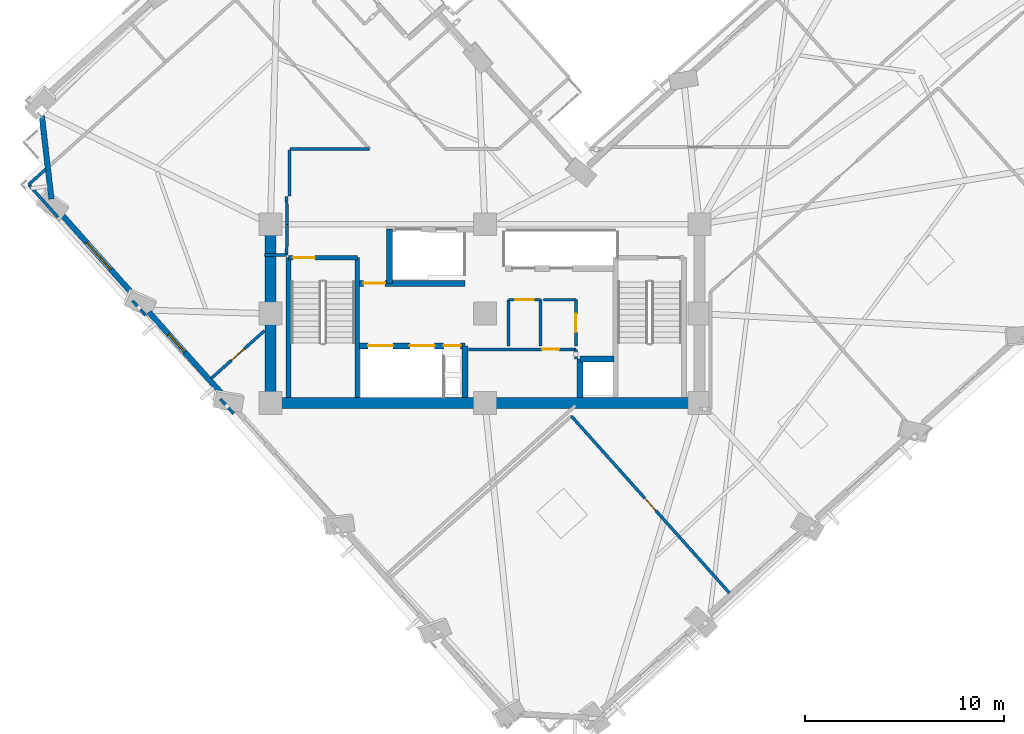
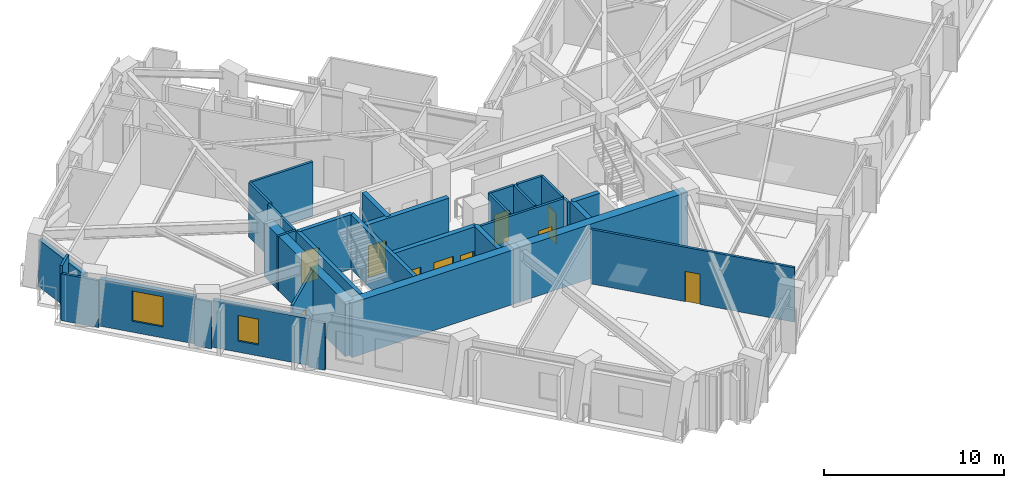
# One storey, part 6 of 14: 33 walls, 10 doors, 2 windows, 12 openings.
"""IFC4 building model written with IfcOpenShell, lengths in metres."""

from ifc_helpers import new_model, si_unit, direction, frame, frame_2d, origin, place, context, subcontext, project, spatial, rectangle, extrude, material, layer, layer_set, type_object, element, fill, save


model = new_model("IFC4")

# Units and contexts
model_context = context("Model", 3, precision=1e-05, world=origin(), true_north=direction((0.0, 1.0)))
body_context = subcontext(model_context, "Body", "Model", "MODEL_VIEW")
ifc_project = project(units=[si_unit("LENGTHUNIT", "METRE"), si_unit("AREAUNIT", "SQUARE_METRE"), si_unit("VOLUMEUNIT", "CUBIC_METRE"), si_unit("PLANEANGLEUNIT", "RADIAN"), si_unit("MASSUNIT", "GRAM", prefix="KILO")], contexts=[model_context])

# Site, building, storey
site_placement = place(None, origin())
site = spatial("IfcSite", under=ifc_project, at=site_placement, CompositionType="ELEMENT")
building_placement = place(site_placement, origin())
building = spatial("IfcBuilding", under=site, at=building_placement, Name="Gaonmaruhae Medical Tower", CompositionType="ELEMENT")
storey_placement = place(building_placement, frame((0.0, 0.0, 201.800048828125)))
storey = spatial("IfcBuildingStorey", under=building, at=storey_placement, Name="L48", CompositionType="ELEMENT", Elevation=201.800048828125)

# Walls
ifc_material_1 = material(Name="Concrete C50/60", Category="concrete")
ifc_layer_1 = layer(ifc_material_1, 0.550048828125)
ifc_layer_set_1 = layer_set([ifc_layer_1], Name="Concrete C50/60")
wall_type_1 = type_object("IfcWallType", Name="CW-550 Mid-High Core Shear Wall", PredefinedType="SHEAR", material=ifc_layer_set_1)
for number, where, z_axis, x_axis, name in (
    (1, (14.0, 7.800048828125, 0.0), (0.0, 0.0, 1.0), (1.0, 0.0, 0.0), "L48 Core Shear Wall CSW-S1"),
    (2, (24.800048828125, 7.800048828125, 0.0), (0.0, 0.0, 1.0), (1.0, 0.0, 0.0), "L48 Core Shear Wall CSW-S2"),
):
    element("IfcWall", number, at=place(storey_placement, frame(where, z_axis=z_axis, x_axis=x_axis)), inside=storey, type_object=wall_type_1, Name=name, PredefinedType="SHEAR", context=body_context, shape_type="SweptSolid", body=[
        extrude(rectangle(XDim=10.800048828125, YDim=0.550048828125, at=frame_2d((5.39990234375, 0.0))), origin(), (0.0, 0.0, 1.0), 3.699951171875),
    ])
wall_1_placement = place(storey_placement, frame((14.0, 16.800048828125, 0.0), z_axis=(0.0, 0.0, 1.0), x_axis=(0.0, -1.0, 0.0)))
element("IfcWall", 3, at=wall_1_placement, inside=storey, type_object=wall_type_1, Name="L48 Core Shear Wall CSW-W1", PredefinedType="SHEAR", context=body_context, shape_type="SweptSolid", body=[
    extrude(rectangle(XDim=9.0, YDim=0.550048828125, at=frame_2d((4.5, 0.0))), origin(), (0.0, 0.0, 1.0), 3.699951171875),
])
ifc_material_2 = material(Name="Precast concrete C45/55", Category="concrete")
ifc_layer_2 = layer(ifc_material_2, 0.280029296875)
ifc_layer_set_2 = layer_set([ifc_layer_2], Name="Precast concrete C45/55")
wall_type_2 = type_object("IfcWallType", Name="EW-280 Upper Precast Masonry-Frame Facade Wall", PredefinedType="SOLIDWALL", material=ifc_layer_set_2)
wall_2_placement = place(storey_placement, frame((2.978271484375, 18.0703125, 0.0), z_axis=(0.0, 0.0, 1.0), x_axis=(-0.11463731343, 0.993407412077, 0.0)))
element("IfcWall", 4, at=wall_2_placement, inside=storey, type_object=wall_type_2, Name="L48 Precast Masonry-Frame Wall N03-W01", PredefinedType="SOLIDWALL", context=body_context, shape_type="SweptSolid", body=[
    extrude(rectangle(XDim=4.21044921875, YDim=0.280029296875, at=frame_2d((2.105224609375, 0.0))), origin(), (0.0, 0.0, 1.0), 3.18505859375),
])

# Wall, opening, window
wall_3_placement = place(storey_placement, frame((7.22900390625, 13.111083984375, 0.0), z_axis=(0.0, 0.0, 1.0), x_axis=(-0.666525979178, 0.745481803319, 0.0)))
wall_3 = element("IfcWall", 5, at=wall_3_placement, inside=storey, type_object=wall_type_2, Name="L48 Precast Masonry-Frame Wall W01-W02", PredefinedType="SOLIDWALL", context=body_context, shape_type="SweptSolid", body=[
    extrude(rectangle(XDim=5.627685546875, YDim=0.280029296875, at=frame_2d((2.81396484375, 0.0))), origin(), (0.0, 0.0, 1.0), 3.18505859375),
])
opening_1_placement = place(wall_3_placement, frame((1.9111328125, 0.0, 0.75)))
opening_1 = element("IfcOpeningElement", 6, at=opening_1_placement, cuts=wall_3, Name="Opening WN-04", PredefinedType="OPENING", context=body_context, shape_type="SweptSolid", body=[
    extrude(rectangle(XDim=1.800048828125, YDim=2.050048828125, at=frame_2d((0.89990234375, 1.02490234375))), frame((0.0, 0.14990234375, 0.0), z_axis=(0.0, -1.0, 0.0), x_axis=(1.0, 0.0, 0.0)), (0.0, 0.0, 1.0), 0.300048828125),
])
ifc_material_3 = material(Name="Anodised aluminium and Low-E double glazing", Category="aluminium")
window_type_1 = type_object("IfcWindowType", Name="WN-04 Clinic & Consult Punched Window 1800x2050", PartitioningType="SINGLE_PANEL", PredefinedType="WINDOW", material=ifc_material_3)
window_1_placement = place(opening_1_placement, origin())
window_1 = element("IfcWindow", 7, at=window_1_placement, inside=storey, type_object=window_type_1, Name="L48 Modular Facade Window W01", OverallHeight=2.050048828125, OverallWidth=1.800048828125, PartitioningType="SINGLE_PANEL", PredefinedType="WINDOW", context=body_context, shape_type="SweptSolid", body=[
    extrude(rectangle(XDim=1.800048828125, YDim=2.050048828125, at=frame_2d((0.89990234375, 1.02490234375))), frame((0.0, 0.030029296875, 0.0), z_axis=(0.0, -1.0, 0.0), x_axis=(1.0, 0.0, 0.0)), (0.0, 0.0, 1.0), 0.06005859375),
])
fill(opening_1, window_1)

wall_4_placement = place(storey_placement, frame((11.658203125, 8.157470703125, 0.0), z_axis=(0.0, 0.0, 1.0), x_axis=(-0.666552835857, 0.745457790228, 0.0)))
wall_4 = element("IfcWall", 8, at=wall_4_placement, inside=storey, type_object=wall_type_2, Name="L48 Precast Masonry-Frame Wall W02-W03", PredefinedType="SOLIDWALL", context=body_context, shape_type="SweptSolid", body=[
    extrude(rectangle(XDim=5.662109375, YDim=0.280029296875, at=frame_2d((2.8310546875, 0.0))), origin(), (0.0, 0.0, 1.0), 3.18505859375),
])
opening_2_placement = place(wall_4_placement, frame((2.955810546875, 0.0, 0.75)))
opening_2 = element("IfcOpeningElement", 9, at=opening_2_placement, cuts=wall_4, Name="Opening WN-05", PredefinedType="OPENING", context=body_context, shape_type="SweptSolid", body=[
    extrude(rectangle(XDim=1.199951171875, YDim=1.75, at=frame_2d((0.60009765625, 0.875))), frame((0.0, 0.14990234375, 0.0), z_axis=(0.0, -1.0, 0.0), x_axis=(1.0, 0.0, 0.0)), (0.0, 0.0, 1.0), 0.300048828125),
])
window_type_2 = type_object("IfcWindowType", Name="WN-05 Support & Staff Punched Window 1200x1750", PartitioningType="SINGLE_PANEL", PredefinedType="WINDOW", material=ifc_material_3)
window_2_placement = place(opening_2_placement, origin())
window_2 = element("IfcWindow", 10, at=window_2_placement, inside=storey, type_object=window_type_2, Name="L48 Modular Facade Window W02", OverallHeight=1.75, OverallWidth=1.199951171875, PartitioningType="SINGLE_PANEL", PredefinedType="WINDOW", context=body_context, shape_type="SweptSolid", body=[
    extrude(rectangle(XDim=1.199951171875, YDim=1.75, at=frame_2d((0.60009765625, 0.875))), frame((0.0, 0.030029296875, 0.0), z_axis=(0.0, -1.0, 0.0), x_axis=(1.0, 0.0, 0.0)), (0.0, 0.0, 1.0), 0.06005859375),
])
fill(opening_2, window_2)

# Wall, opening, door
ifc_material_4 = material(Name="Gypsum board partition", Category="gypsum")
ifc_layer_3 = layer(ifc_material_4, 0.14990234375)
ifc_layer_set_3 = layer_set([ifc_layer_3], Name="Gypsum board partition")
wall_type_3 = type_object("IfcWallType", Name="PW-150 Rated Clinical Corridor Partition", PredefinedType="PARTITIONING", material=ifc_layer_set_3)
wall_5_placement = place(storey_placement, frame((23.97998046875, 10.5, 0.0), z_axis=(0.0, 0.0, 1.0), x_axis=(1.0, 0.0, 0.0)))
wall_5 = element("IfcWall", 11, at=wall_5_placement, inside=storey, type_object=wall_type_3, Name="L48 Interior Partition L48-RCL1-1", PredefinedType="PARTITIONING", context=body_context, shape_type="SweptSolid", body=[
    extrude(rectangle(XDim=5.39990234375, YDim=0.14990234375, at=frame_2d((2.699951171875, 0.0))), origin(), (0.0, 0.0, 1.0), 3.699951171875),
])
opening_3_placement = place(wall_5_placement, frame((3.702880859375, 0.0, 0.0)))
opening_3 = element("IfcOpeningElement", 12, at=opening_3_placement, cuts=wall_5, Name="Opening AD-01", PredefinedType="OPENING", context=body_context, shape_type="SweptSolid", body=[
    extrude(rectangle(XDim=0.860107421875, YDim=2.06005859375, at=frame_2d((0.43017578125, 1.030029296875))), frame((0.0, 0.0849609375, 0.0), z_axis=(0.0, -1.0, 0.0), x_axis=(1.0, 0.0, 0.0)), (0.0, 0.0, 1.0), 0.169921875),
])
ifc_material_5 = material(Name="Powder-coated steel access door", Category="steel")
door_type_1 = type_object("IfcDoorType", Name="AD-01 Riser & Closet Access Fire Door 860x2060", OperationType="NOTDEFINED", PredefinedType="DOOR", material=ifc_material_5)
door_1_placement = place(opening_3_placement, origin())
door_1 = element("IfcDoor", 13, at=door_1_placement, inside=storey, type_object=door_type_1, Name="L48 Biomedical Infusion Preparation Room Sliding Door", OperationType="SLIDING_TO_LEFT", OverallHeight=2.06005859375, OverallWidth=0.860107421875, PredefinedType="DOOR", context=body_context, shape_type="SweptSolid", body=[
    extrude(rectangle(XDim=0.860107421875, YDim=2.06005859375, at=frame_2d((0.43017578125, 1.030029296875))), frame((0.0, 0.02490234375, 0.0), z_axis=(0.0, -1.0, 0.0), x_axis=(1.0, 0.0, 0.0)), (0.0, 0.0, 1.0), 0.050048828125),
])
fill(opening_3, door_1)

# Walls
wall_6_placement = place(storey_placement, frame((29.3798828125, 10.5, 0.0), z_axis=(0.0, 0.0, 1.0), x_axis=(0.0, -1.0, 0.0)))
element("IfcWall", 14, at=wall_6_placement, inside=storey, type_object=wall_type_3, Name="L48 Interior Partition L48-RCL1-2", PredefinedType="PARTITIONING", context=body_context, shape_type="SweptSolid", body=[
    extrude(rectangle(XDim=0.47998046875, YDim=0.14990234375, at=frame_2d((0.239990234375, 0.0))), origin(), (0.0, 0.0, 1.0), 3.699951171875),
])
wall_7_placement = place(storey_placement, frame((25.97998046875, 10.659912109375, 0.0), z_axis=(0.0, 0.0, 1.0), x_axis=(0.0, 1.0, 0.0)))
element("IfcWall", 15, at=wall_7_placement, inside=storey, type_object=wall_type_3, Name="L48 Interior Partition L48-CS1-3", PredefinedType="PARTITIONING", context=body_context, shape_type="SweptSolid", body=[
    extrude(rectangle(XDim=2.340087890625, YDim=0.14990234375, at=frame_2d((1.169921875, 0.0))), origin(), (0.0, 0.0, 1.0), 3.699951171875),
])

# Wall, opening, door
wall_8_placement = place(storey_placement, frame((25.97998046875, 13.0, 0.0), z_axis=(0.0, 0.0, 1.0), x_axis=(1.0, 0.0, 0.0)))
wall_8 = element("IfcWall", 16, at=wall_8_placement, inside=storey, type_object=wall_type_3, Name="L48 Interior Partition L48-CS1-4", PredefinedType="PARTITIONING", context=body_context, shape_type="SweptSolid", body=[
    extrude(rectangle(XDim=1.6201171875, YDim=0.14990234375, at=frame_2d((0.81005859375, 0.0))), origin(), (0.0, 0.0, 1.0), 3.699951171875),
])
opening_4_placement = place(wall_8_placement, frame((0.35009765625, 0.0, 0.0)))
opening_4 = element("IfcOpeningElement", 17, at=opening_4_placement, cuts=wall_8, Name="Opening UD-01", PredefinedType="OPENING", context=body_context, shape_type="SweptSolid", body=[
    extrude(rectangle(XDim=0.919921875, YDim=2.10009765625, at=frame_2d((0.4599609375, 1.050048828125))), frame((0.0, 0.0849609375, 0.0), z_axis=(0.0, -1.0, 0.0), x_axis=(1.0, 0.0, 0.0)), (0.0, 0.0, 1.0), 0.169921875),
])
ifc_material_6 = material(Name="Powder-coated steel utility door", Category="steel")
door_type_2 = type_object("IfcDoorType", Name="UD-01 Toilet, Utility & Housekeeping Door 920x2100", OperationType="NOTDEFINED", PredefinedType="DOOR", material=ifc_material_6)
door_2_placement = place(opening_4_placement, origin())
door_2 = element("IfcDoor", 18, at=door_2_placement, inside=storey, type_object=door_type_2, Name="L48 Accessible Staff Toilet Door", OperationType="SINGLE_SWING_RIGHT", OverallHeight=2.10009765625, OverallWidth=0.919921875, PredefinedType="DOOR", context=body_context, shape_type="SweptSolid", body=[
    extrude(rectangle(XDim=0.919921875, YDim=2.10009765625, at=frame_2d((0.4599609375, 1.050048828125))), frame((0.0, 0.02490234375, 0.0), z_axis=(0.0, -1.0, 0.0), x_axis=(1.0, 0.0, 0.0)), (0.0, 0.0, 1.0), 0.050048828125),
])
fill(opening_4, door_2)

# Walls
wall_9_placement = place(storey_placement, frame((27.60009765625, 13.0, 0.0), z_axis=(0.0, 0.0, 1.0), x_axis=(0.0, -1.0, 0.0)))
element("IfcWall", 19, at=wall_9_placement, inside=storey, type_object=wall_type_3, Name="L48 Interior Partition L48-CS1-5", PredefinedType="PARTITIONING", context=body_context, shape_type="SweptSolid", body=[
    extrude(rectangle(XDim=2.340087890625, YDim=0.14990234375, at=frame_2d((1.169921875, 0.0))), origin(), (0.0, 0.0, 1.0), 3.699951171875),
])
wall_10_placement = place(storey_placement, frame((27.760009765625, 13.0, 0.0), z_axis=(0.0, 0.0, 1.0), x_axis=(1.0, 0.0, 0.0)))
element("IfcWall", 20, at=wall_10_placement, inside=storey, type_object=wall_type_3, Name="L48 Interior Partition L48-CS2-6", PredefinedType="PARTITIONING", context=body_context, shape_type="SweptSolid", body=[
    extrude(rectangle(XDim=1.619873046875, YDim=0.14990234375, at=frame_2d((0.81005859375, 0.0))), origin(), (0.0, 0.0, 1.0), 3.699951171875),
])

# Wall, opening, door
wall_11_placement = place(storey_placement, frame((29.3798828125, 13.0, 0.0), z_axis=(0.0, 0.0, 1.0), x_axis=(0.0, -1.0, 0.0)))
wall_11 = element("IfcWall", 21, at=wall_11_placement, inside=storey, type_object=wall_type_3, Name="L48 Interior Partition L48-CS2-7", PredefinedType="PARTITIONING", context=body_context, shape_type="SweptSolid", body=[
    extrude(rectangle(XDim=2.340087890625, YDim=0.14990234375, at=frame_2d((1.169921875, 0.0))), origin(), (0.0, 0.0, 1.0), 3.699951171875),
])
opening_5_placement = place(wall_11_placement, frame((0.7099609375, 0.0, 0.0)))
opening_5 = element("IfcOpeningElement", 22, at=opening_5_placement, cuts=wall_11, Name="Opening UD-01", PredefinedType="OPENING", context=body_context, shape_type="SweptSolid", body=[
    extrude(rectangle(XDim=0.919921875, YDim=2.10009765625, at=frame_2d((0.4599609375, 1.050048828125))), frame((0.0, 0.0849609375, 0.0), z_axis=(0.0, -1.0, 0.0), x_axis=(1.0, 0.0, 0.0)), (0.0, 0.0, 1.0), 0.169921875),
])
door_3_placement = place(opening_5_placement, origin())
door_3 = element("IfcDoor", 23, at=door_3_placement, inside=storey, type_object=door_type_2, Name="L48 Biomedical Telemetry Closet Door", OperationType="SINGLE_SWING_RIGHT", OverallHeight=2.10009765625, OverallWidth=0.919921875, PredefinedType="DOOR", context=body_context, shape_type="SweptSolid", body=[
    extrude(rectangle(XDim=0.919921875, YDim=2.10009765625, at=frame_2d((0.4599609375, 1.050048828125))), frame((0.0, 0.02490234375, 0.0), z_axis=(0.0, -1.0, 0.0), x_axis=(1.0, 0.0, 0.0)), (0.0, 0.0, 1.0), 0.050048828125),
])
fill(opening_5, door_3)

wall_12_placement = place(storey_placement, frame((29.153076171875, 7.14208984375, 0.0), z_axis=(0.0, 0.0, 1.0), x_axis=(0.666482690368, -0.745520505043, 0.0)))
wall_12 = element("IfcWall", 24, at=wall_12_placement, inside=storey, type_object=wall_type_3, Name="L48 Interior Partition L48-SUP01-12", PredefinedType="PARTITIONING", context=body_context, shape_type="SweptSolid", body=[
    extrude(rectangle(XDim=11.935546875, YDim=0.14990234375, at=frame_2d((5.9677734375, 0.0))), origin(), (0.0, 0.0, 1.0), 3.699951171875),
])
opening_6_placement = place(wall_12_placement, frame((5.537841796875, 0.0, 0.0)))
opening_6 = element("IfcOpeningElement", 25, at=opening_6_placement, cuts=wall_12, Name="Opening AD-01", PredefinedType="OPENING", context=body_context, shape_type="SweptSolid", body=[
    extrude(rectangle(XDim=0.860107421875, YDim=2.06005859375, at=frame_2d((0.43017578125, 1.030029296875))), frame((0.0, 0.0849609375, 0.0), z_axis=(0.0, -1.0, 0.0), x_axis=(1.0, 0.0, 0.0)), (0.0, 0.0, 1.0), 0.169921875),
])
door_4_placement = place(opening_6_placement, origin())
door_4 = element("IfcDoor", 26, at=door_4_placement, inside=storey, type_object=door_type_1, Name="L48 Clinical Biomedical Charting Office Sliding Door", OperationType="SLIDING_TO_LEFT", OverallHeight=2.06005859375, OverallWidth=0.860107421875, PredefinedType="DOOR", context=body_context, shape_type="SweptSolid", body=[
    extrude(rectangle(XDim=0.860107421875, YDim=2.06005859375, at=frame_2d((0.43017578125, 1.030029296875))), frame((0.0, 0.02490234375, 0.0), z_axis=(0.0, -1.0, 0.0), x_axis=(1.0, 0.0, 0.0)), (0.0, 0.0, 1.0), 0.050048828125),
])
fill(opening_6, door_4)

# Wall
wall_13_placement = place(storey_placement, frame((12.14794921875, 7.264892578125, 0.0), z_axis=(0.0, 0.0, 1.0), x_axis=(-0.666607685935, 0.74540874227, 0.0)))
element("IfcWall", 27, at=wall_13_placement, inside=storey, type_object=wall_type_3, Name="L48 Interior Partition L48-WOF05-35", PredefinedType="PARTITIONING", context=body_context, shape_type="SweptSolid", body=[
    extrude(rectangle(XDim=0.991455078125, YDim=0.14990234375, at=frame_2d((0.49560546875, 0.0))), origin(), (0.0, 0.0, 1.0), 3.18505859375),
])

# Wall, opening, door
wall_14_placement = place(storey_placement, frame((11.02294921875, 9.0400390625, 0.0), z_axis=(0.0, 0.0, 1.0), x_axis=(0.745403084504, 0.666614012462, 0.0)))
wall_14 = element("IfcWall", 28, at=wall_14_placement, inside=storey, type_object=wall_type_3, Name="L48 Interior Partition L48-WOF05-36", PredefinedType="PARTITIONING", context=body_context, shape_type="SweptSolid", body=[
    extrude(rectangle(XDim=3.59130859375, YDim=0.14990234375, at=frame_2d((1.795654296875, 0.0))), origin(), (0.0, 0.0, 1.0), 3.699951171875),
])
opening_7_placement = place(wall_14_placement, frame((1.36572265625, 0.0, 0.0)))
opening_7 = element("IfcOpeningElement", 29, at=opening_7_placement, cuts=wall_14, Name="Opening AD-01", PredefinedType="OPENING", context=body_context, shape_type="SweptSolid", body=[
    extrude(rectangle(XDim=0.860107421875, YDim=2.06005859375, at=frame_2d((0.43017578125, 1.030029296875))), frame((0.0, 0.0849609375, 0.0), z_axis=(0.0, -1.0, 0.0), x_axis=(1.0, 0.0, 0.0)), (0.0, 0.0, 1.0), 0.169921875),
])
door_5_placement = place(opening_7_placement, origin())
door_5 = element("IfcDoor", 30, at=door_5_placement, inside=storey, type_object=door_type_1, Name="L48 Ward Physician Reporting Office Sliding Door", OperationType="SLIDING_TO_LEFT", OverallHeight=2.06005859375, OverallWidth=0.860107421875, PredefinedType="DOOR", context=body_context, shape_type="SweptSolid", body=[
    extrude(rectangle(XDim=0.860107421875, YDim=2.06005859375, at=frame_2d((0.43017578125, 1.030029296875))), frame((0.0, 0.02490234375, 0.0), z_axis=(0.0, -1.0, 0.0), x_axis=(1.0, 0.0, 0.0)), (0.0, 0.0, 1.0), 0.050048828125),
])
fill(opening_7, door_5)

# Walls
wall_15_placement = place(storey_placement, frame((14.969970703125, 20.550048828125, 0.0), z_axis=(0.0, 0.0, 1.0), x_axis=(0.0, -1.0, 0.0)))
element("IfcWall", 31, at=wall_15_placement, inside=storey, type_object=wall_type_3, Name="L48 Interior Partition L48-WOF06-37", PredefinedType="PARTITIONING", context=body_context, shape_type="SweptSolid", body=[
    extrude(rectangle(XDim=2.320068359375, YDim=0.14990234375, at=frame_2d((1.16015625, 0.0))), origin(), (0.0, 0.0, 1.0), 3.699951171875),
])
wall_16_placement = place(storey_placement, frame((14.820068359375, 18.199951171875, 0.0), z_axis=(0.0, 0.0, 1.0), x_axis=(0.01499656939, -0.99988754513, 0.0)))
element("IfcWall", 32, at=wall_16_placement, inside=storey, type_object=wall_type_3, Name="L48 Interior Partition L48-WOF06-38", PredefinedType="PARTITIONING", context=body_context, shape_type="SweptSolid", body=[
    extrude(rectangle(XDim=1.400146484375, YDim=0.14990234375, at=frame_2d((0.7001953125, 0.0))), origin(), (0.0, 0.0, 1.0), 3.699951171875),
])
wall_17_placement = place(storey_placement, frame((14.841064453125, 16.800048828125, 0.0), z_axis=(0.0, 0.0, 1.0), x_axis=(-0.01363221443, -0.999907077048, 0.0)))
element("IfcWall", 33, at=wall_17_placement, inside=storey, type_object=wall_type_3, Name="L48 Interior Partition L48-WOF06-39", PredefinedType="PARTITIONING", context=body_context, shape_type="SweptSolid", body=[
    extrude(rectangle(XDim=1.540283203125, YDim=0.14990234375, at=frame_2d((0.77001953125, 0.0))), origin(), (0.0, 0.0, 1.0), 3.699951171875),
])
wall_18_placement = place(storey_placement, frame((14.820068359375, 15.260009765625, 0.0), z_axis=(0.0, 0.0, 1.0), x_axis=(-1.0, 0.0, 0.0)))
element("IfcWall", 34, at=wall_18_placement, inside=storey, type_object=wall_type_3, Name="L48 Interior Partition L48-WOF06-40", PredefinedType="PARTITIONING", context=body_context, shape_type="SweptSolid", body=[
    extrude(rectangle(XDim=1.1201171875, YDim=0.14990234375, at=frame_2d((0.56005859375, 0.0))), origin(), (0.0, 0.0, 1.0), 3.699951171875),
])
wall_19_placement = place(storey_placement, frame((7.712890625, 12.22509765625, 0.0), z_axis=(0.0, 0.0, 1.0), x_axis=(-0.666242818318, 0.745734877178, 0.0)))
element("IfcWall", 35, at=wall_19_placement, inside=storey, type_object=wall_type_3, Name="L48 Interior Partition L48-WOF06-41", PredefinedType="PARTITIONING", context=body_context, shape_type="SweptSolid", body=[
    extrude(rectangle(XDim=0.98291015625, YDim=0.14990234375, at=frame_2d((0.491455078125, 0.0))), origin(), (0.0, 0.0, 1.0), 3.18505859375),
])
wall_20_placement = place(storey_placement, frame((3.306884765625, 17.153076171875, 0.0), z_axis=(0.0, 0.0, 1.0), x_axis=(-0.666617198335, 0.745400235366, 0.0)))
element("IfcWall", 36, at=wall_20_placement, inside=storey, type_object=wall_type_3, Name="L48 Interior Partition L48-WOF06-42", PredefinedType="PARTITIONING", context=body_context, shape_type="SweptSolid", body=[
    extrude(rectangle(XDim=2.20947265625, YDim=0.14990234375, at=frame_2d((1.104736328125, 0.0))), origin(), (0.0, 0.0, 1.0), 3.18505859375),
])
wall_21_placement = place(storey_placement, frame((1.833984375, 18.800048828125, 0.0), z_axis=(0.0, 0.0, 1.0), x_axis=(0.745658348936, 0.666328467546, 0.0)))
element("IfcWall", 37, at=wall_21_placement, inside=storey, type_object=wall_type_3, Name="L48 Interior Partition L48-WOF06-43", PredefinedType="PARTITIONING", context=body_context, shape_type="SweptSolid", body=[
    extrude(rectangle(XDim=1.14794921875, YDim=0.14990234375, at=frame_2d((0.573974609375, 0.0))), origin(), (0.0, 0.0, 1.0), 3.699951171875),
])
wall_22_placement = place(storey_placement, frame((18.99609375, 20.580078125, 0.0), z_axis=(0.0, 0.0, 1.0), x_axis=(-1.0, 0.0, 0.0)))
element("IfcWall", 38, at=wall_22_placement, inside=storey, type_object=wall_type_3, Name="L48 Interior Partition L48-WOF06-46", PredefinedType="PARTITIONING", context=body_context, shape_type="SweptSolid", body=[
    extrude(rectangle(XDim=3.9990234375, YDim=0.14990234375, at=frame_2d((1.99951171875, 0.0))), origin(), (0.0, 0.0, 1.0), 3.699951171875),
])

# Wall, opening, door
ifc_layer_4 = layer(ifc_material_1, 0.239990234375)
ifc_layer_set_4 = layer_set([ifc_layer_4], Name="Concrete C50/60")
wall_type_4 = type_object("IfcWallType", Name="SW-240 Dogleg Stair Tight Shaft Wall", PredefinedType="SOLIDWALL", material=ifc_layer_set_4)
wall_23_placement = place(storey_placement, frame((14.919921875, 15.1201171875, 0.0), z_axis=(0.0, 0.0, 1.0), x_axis=(1.0, 0.0, 0.0)))
wall_23 = element("IfcWall", 39, at=wall_23_placement, inside=storey, type_object=wall_type_4, Name="L48 ST-01 Stair Shaft Wall SHW-ST-01-N", PredefinedType="SOLIDWALL", context=body_context, shape_type="SweptSolid", body=[
    extrude(rectangle(XDim=3.4599609375, YDim=0.239990234375, at=frame_2d((1.72998046875, 0.0))), origin(), (0.0, 0.0, 1.0), 3.699951171875),
])
opening_8_placement = place(wall_23_placement, frame((0.219970703125, 0.0, 0.0)))
opening_8 = element("IfcOpeningElement", 40, at=opening_8_placement, cuts=wall_23, Name="Opening FD-01", PredefinedType="OPENING", context=body_context, shape_type="SweptSolid", body=[
    extrude(rectangle(XDim=1.10009765625, YDim=2.14990234375, at=frame_2d((0.550048828125, 1.074951171875))), frame((0.0, 0.1298828125, 0.0), z_axis=(0.0, -1.0, 0.0), x_axis=(1.0, 0.0, 0.0)), (0.0, 0.0, 1.0), 0.260009765625),
])
ifc_material_7 = material(Name="Powder-coated steel fire door", Category="steel")
door_type_3 = type_object("IfcDoorType", Name="FD-01 Escape Stair Protected Fire Door 1100x2150", OperationType="NOTDEFINED", PredefinedType="DOOR", material=ifc_material_7)
door_6_placement = place(opening_8_placement, origin())
door_6 = element("IfcDoor", 41, at=door_6_placement, inside=storey, type_object=door_type_3, Name="L48 ST-01 Protected Escape Stair Door", OperationType="SINGLE_SWING_RIGHT", OverallHeight=2.14990234375, OverallWidth=1.10009765625, PredefinedType="DOOR", context=body_context, shape_type="SweptSolid", body=[
    extrude(rectangle(XDim=1.10009765625, YDim=2.14990234375, at=frame_2d((0.550048828125, 1.074951171875))), frame((0.0, 0.02490234375, 0.0), z_axis=(0.0, -1.0, 0.0), x_axis=(1.0, 0.0, 0.0)), (0.0, 0.0, 1.0), 0.050048828125),
])
fill(opening_8, door_6)

# Walls
for number, where, z_axis, x_axis, name in (
    (42, (18.3798828125, 15.1201171875, 0.0), (0.0, 0.0, 1.0), (0.0, -1.0, 0.0), "L48 ST-01 Stair Shaft Wall SHW-ST-01-E"),
    (43, (14.919921875, 8.074951171875, 0.0), (0.0, 0.0, 1.0), (0.0, 1.0, 0.0), "L48 ST-01 Stair Shaft Wall SHW-ST-01-W"),
):
    element("IfcWall", number, at=place(storey_placement, frame(where, z_axis=z_axis, x_axis=x_axis)), inside=storey, type_object=wall_type_4, Name=name, PredefinedType="SOLIDWALL", context=body_context, shape_type="SweptSolid", body=[
        extrude(rectangle(XDim=7.045166015625, YDim=0.239990234375, at=frame_2d((3.5224609375, 0.0))), origin(), (0.0, 0.0, 1.0), 3.699951171875),
    ])

# Wall, openings, doors
ifc_layer_5 = layer(ifc_material_1, 0.300048828125)
ifc_layer_set_5 = layer_set([ifc_layer_5], Name="Concrete C50/60")
wall_type_5 = type_object("IfcWallType", Name="SW-300 Stair & Lift Hoistway Shaft Wall", PredefinedType="SOLIDWALL", material=ifc_layer_set_5)
wall_24_placement = place(storey_placement, frame((18.5, 10.679931640625, 0.0), z_axis=(0.0, 0.0, 1.0), x_axis=(1.0, 0.0, 0.0)))
wall_24 = element("IfcWall", 44, at=wall_24_placement, inside=storey, type_object=wall_type_5, Name="L48 Shaft Enclosure Wall SHW-FFN", PredefinedType="SOLIDWALL", context=body_context, shape_type="SweptSolid", body=[
    extrude(rectangle(XDim=5.300048828125, YDim=0.300048828125, at=frame_2d((2.64990234375, 0.0))), origin(), (0.0, 0.0, 1.0), 3.699951171875),
])
opening_9_placement = place(wall_24_placement, frame((4.219970703125, 0.0, 0.0)))
opening_9 = element("IfcOpeningElement", 45, at=opening_9_placement, cuts=wall_24, Name="Opening AD-01", PredefinedType="OPENING", context=body_context, shape_type="SweptSolid", body=[
    extrude(rectangle(XDim=0.860107421875, YDim=2.06005859375, at=frame_2d((0.43017578125, 1.030029296875))), frame((0.0, 0.16015625, 0.0), z_axis=(0.0, -1.0, 0.0), x_axis=(1.0, 0.0, 0.0)), (0.0, 0.0, 1.0), 0.320068359375),
])
opening_10_placement = place(wall_24_placement, frame((0.425048828125, 0.0, 0.0)))
opening_10 = element("IfcOpeningElement", 46, at=opening_10_placement, cuts=wall_24, Name="Opening LD-F1", PredefinedType="OPENING", context=body_context, shape_type="SweptSolid", body=[
    extrude(rectangle(XDim=1.25, YDim=2.179931640625, at=frame_2d((0.625, 1.08984375))), frame((0.0, 0.16015625, 0.0), z_axis=(0.0, -1.0, 0.0), x_axis=(1.0, 0.0, 0.0)), (0.0, 0.0, 1.0), 0.320068359375),
])
opening_11_placement = place(wall_24_placement, frame((2.52490234375, 0.0, 0.0)))
opening_11 = element("IfcOpeningElement", 47, at=opening_11_placement, cuts=wall_24, Name="Opening LD-F1", PredefinedType="OPENING", context=body_context, shape_type="SweptSolid", body=[
    extrude(rectangle(XDim=1.25, YDim=2.179931640625, at=frame_2d((0.625, 1.08984375))), frame((0.0, 0.16015625, 0.0), z_axis=(0.0, -1.0, 0.0), x_axis=(1.0, 0.0, 0.0)), (0.0, 0.0, 1.0), 0.320068359375),
])
door_7_placement = place(opening_9_placement, origin())
door_7 = element("IfcDoor", 48, at=door_7_placement, inside=storey, type_object=door_type_1, Name="L48 Medical Gas and MEP Riser Access Door", OperationType="SINGLE_SWING_RIGHT", OverallHeight=2.06005859375, OverallWidth=0.860107421875, PredefinedType="DOOR", context=body_context, shape_type="SweptSolid", body=[
    extrude(rectangle(XDim=0.860107421875, YDim=2.06005859375, at=frame_2d((0.43017578125, 1.030029296875))), frame((0.0, 0.02490234375, 0.0), z_axis=(0.0, -1.0, 0.0), x_axis=(1.0, 0.0, 0.0)), (0.0, 0.0, 1.0), 0.050048828125),
])
fill(opening_9, door_7)
ifc_material_8 = material(Name="Brushed stainless steel 316L landing door", Category="steel")
door_type_4 = type_object("IfcDoorType", Name="LD-F1 Firefighting & Bed Lift Sliding Landing Door 1250x2180", OperationType="NOTDEFINED", PredefinedType="DOOR", material=ifc_material_8)
door_8_placement = place(opening_10_placement, origin())
door_8 = element("IfcDoor", 49, at=door_8_placement, inside=storey, type_object=door_type_4, Name="L48 Firefighting Lift Landing Door FFL-01", OperationType="DOUBLE_DOOR_SLIDING", OverallHeight=2.179931640625, OverallWidth=1.25, PredefinedType="DOOR", context=body_context, shape_type="SweptSolid", body=[
    extrude(rectangle(XDim=1.25, YDim=2.179931640625, at=frame_2d((0.625, 1.08984375))), frame((0.0, 0.02490234375, 0.0), z_axis=(0.0, -1.0, 0.0), x_axis=(1.0, 0.0, 0.0)), (0.0, 0.0, 1.0), 0.050048828125),
])
fill(opening_10, door_8)
door_9_placement = place(opening_11_placement, origin())
door_9 = element("IfcDoor", 50, at=door_9_placement, inside=storey, type_object=door_type_4, Name="L48 Firefighting Lift Landing Door FFL-02", OperationType="DOUBLE_DOOR_SLIDING", OverallHeight=2.179931640625, OverallWidth=1.25, PredefinedType="DOOR", context=body_context, shape_type="SweptSolid", body=[
    extrude(rectangle(XDim=1.25, YDim=2.179931640625, at=frame_2d((0.625, 1.08984375))), frame((0.0, 0.02490234375, 0.0), z_axis=(0.0, -1.0, 0.0), x_axis=(1.0, 0.0, 0.0)), (0.0, 0.0, 1.0), 0.050048828125),
])
fill(opening_11, door_9)

# Wall, opening, door
wall_25_placement = place(storey_placement, frame((18.5, 13.820068359375, 0.0), z_axis=(0.0, 0.0, 1.0), x_axis=(1.0, 0.0, 0.0)))
wall_25 = element("IfcWall", 51, at=wall_25_placement, inside=storey, type_object=wall_type_5, Name="L48 Shaft Enclosure Wall SHW-FFL", PredefinedType="SOLIDWALL", context=body_context, shape_type="SweptSolid", body=[
    extrude(rectangle(XDim=5.300048828125, YDim=0.300048828125, at=frame_2d((2.64990234375, 0.0))), origin(), (0.0, 0.0, 1.0), 3.699951171875),
])
opening_12_placement = place(wall_25_placement, frame((0.179931640625, 0.0, 0.0)))
opening_12 = element("IfcOpeningElement", 52, at=opening_12_placement, cuts=wall_25, Name="Opening FD-01", PredefinedType="OPENING", context=body_context, shape_type="SweptSolid", body=[
    extrude(rectangle(XDim=1.10009765625, YDim=2.14990234375, at=frame_2d((0.550048828125, 1.074951171875))), frame((0.0, 0.16015625, 0.0), z_axis=(0.0, -1.0, 0.0), x_axis=(1.0, 0.0, 0.0)), (0.0, 0.0, 1.0), 0.320068359375),
])
door_10_placement = place(opening_12_placement, origin())
door_10 = element("IfcDoor", 53, at=door_10_placement, inside=storey, type_object=door_type_3, Name="L48 Firefighting Lobby Smoke Door", OperationType="SINGLE_SWING_LEFT", OverallHeight=2.14990234375, OverallWidth=1.10009765625, PredefinedType="DOOR", context=body_context, shape_type="SweptSolid", body=[
    extrude(rectangle(XDim=1.10009765625, YDim=2.14990234375, at=frame_2d((0.550048828125, 1.074951171875))), frame((0.0, 0.02490234375, 0.0), z_axis=(0.0, -1.0, 0.0), x_axis=(1.0, 0.0, 0.0)), (0.0, 0.0, 1.0), 0.050048828125),
])
fill(opening_12, door_10)

# Walls
wall_26_placement = place(storey_placement, frame((23.800048828125, 8.074951171875, 0.0), z_axis=(0.0, 0.0, 1.0), x_axis=(0.0, 1.0, 0.0)))
element("IfcWall", 54, at=wall_26_placement, inside=storey, type_object=wall_type_5, Name="L48 Shaft Enclosure Wall SHW-FFE", PredefinedType="SOLIDWALL", context=body_context, shape_type="SweptSolid", body=[
    extrude(rectangle(XDim=2.60498046875, YDim=0.300048828125, at=frame_2d((1.302490234375, 0.0))), origin(), (0.0, 0.0, 1.0), 3.699951171875),
])
wall_27_placement = place(storey_placement, frame((20.0, 13.820068359375, 0.0), z_axis=(0.0, 0.0, 1.0), x_axis=(0.0, 1.0, 0.0)))
element("IfcWall", 55, at=wall_27_placement, inside=storey, type_object=wall_type_5, Name="L48 Shaft Enclosure Wall SHW-BDW", PredefinedType="SOLIDWALL", context=body_context, shape_type="SweptSolid", body=[
    extrude(rectangle(XDim=2.72998046875, YDim=0.300048828125, at=frame_2d((1.364990234375, 0.0))), origin(), (0.0, 0.0, 1.0), 3.699951171875),
])
wall_28_placement = place(storey_placement, frame((29.60009765625, 10.02001953125, 0.0), z_axis=(0.0, 0.0, 1.0), x_axis=(1.0, 0.0, 0.0)))
element("IfcWall", 56, at=wall_28_placement, inside=storey, type_object=wall_type_5, Name="L48 Shaft Enclosure Wall SHW-PLS", PredefinedType="SOLIDWALL", context=body_context, shape_type="SweptSolid", body=[
    extrude(rectangle(XDim=1.699951171875, YDim=0.300048828125, at=frame_2d((0.85009765625, 0.0))), origin(), (0.0, 0.0, 1.0), 3.699951171875),
])
wall_29_placement = place(storey_placement, frame((29.60009765625, 8.074951171875, 0.0), z_axis=(0.0, 0.0, 1.0), x_axis=(0.0, 1.0, 0.0)))
element("IfcWall", 57, at=wall_29_placement, inside=storey, type_object=wall_type_5, Name="L48 Shaft Enclosure Wall SHW-PLD1", PredefinedType="SOLIDWALL", context=body_context, shape_type="SweptSolid", body=[
    extrude(rectangle(XDim=1.945068359375, YDim=0.300048828125, at=frame_2d((0.97265625, 0.0))), origin(), (0.0, 0.0, 1.0), 3.699951171875),
])

save(model, "model.ifc")
